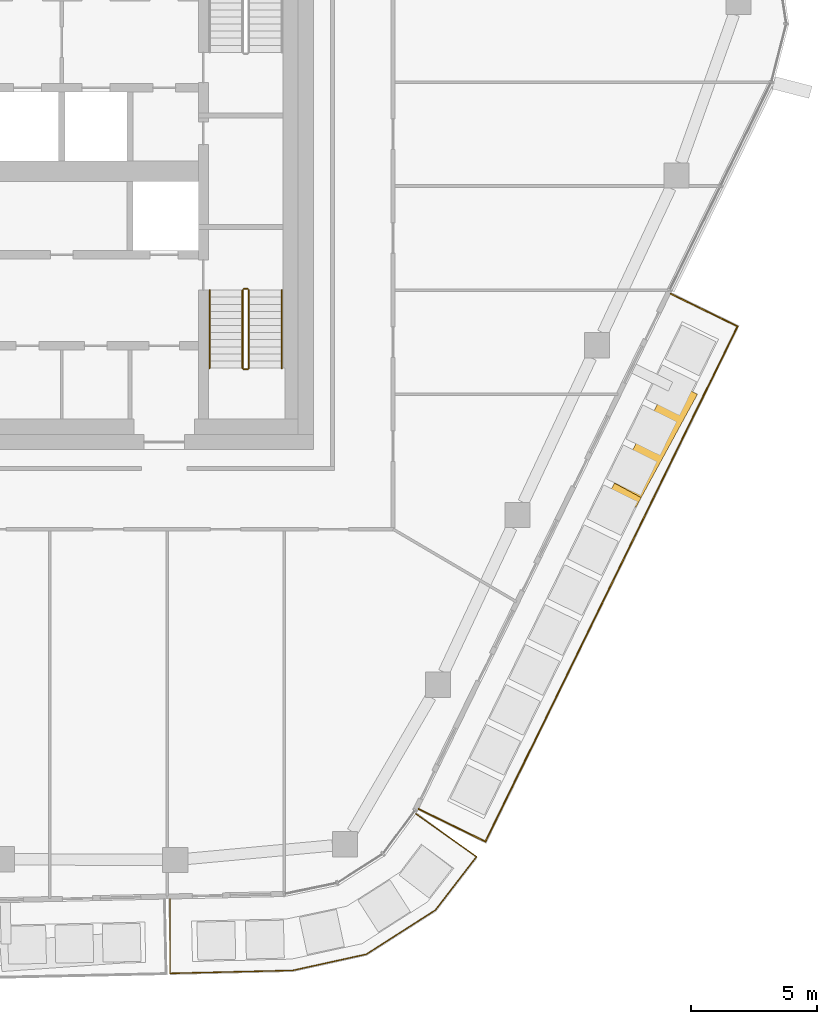
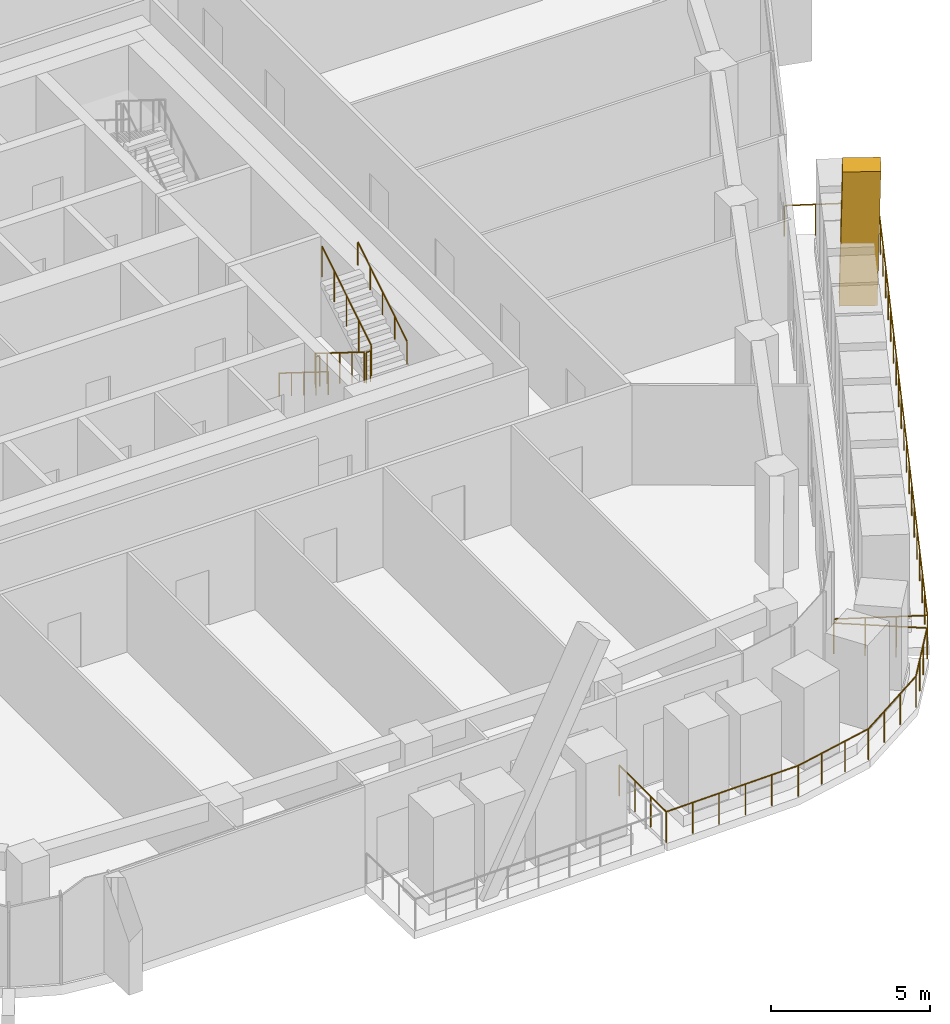
# One storey, part 20 of 23: 8 railings, 1 covering, 1 element without a shape of its own.
"""IFC4 building model written with IfcOpenShell, lengths in metres."""

from ifc_helpers import new_model, si_unit, direction, frame, origin, origin_2d, place, context, subcontext, project, spatial, rectangle, circle, extrude, material, layer, layer_set, material_profile, profile_set, type_object, element, aggregate, save


model = new_model("IFC4")

# Units and contexts
model_context = context("Model", 3, precision=1e-05, world=origin(), true_north=direction((0.0, 1.0)))
body_context = subcontext(model_context, "Body", "Model", "MODEL_VIEW")
ifc_project = project(units=[si_unit("LENGTHUNIT", "METRE"), si_unit("AREAUNIT", "SQUARE_METRE"), si_unit("VOLUMEUNIT", "CUBIC_METRE"), si_unit("PLANEANGLEUNIT", "RADIAN"), si_unit("MASSUNIT", "GRAM", prefix="KILO")], contexts=[model_context])

# Site, building, storey
site_placement = place(None, origin())
site = spatial("IfcSite", under=ifc_project, at=site_placement, CompositionType="ELEMENT")
building_placement = place(site_placement, origin())
building = spatial("IfcBuilding", under=site, at=building_placement, Name="Dongbaek Canopy Tower", CompositionType="ELEMENT")
storey_placement = place(building_placement, frame((0.0, 0.0, 340.39990234375)))
storey = spatial("IfcBuildingStorey", under=building, at=storey_placement, Name="L73", CompositionType="ELEMENT", Elevation=340.39990234375)

# Railings
ifc_material_1 = material(Name="Stainless steel", Category="steel")
railing_type_1 = type_object("IfcRailingType", Name="Balcony balustrade 1200", PredefinedType="BALUSTRADE", material=ifc_material_1)
railing_1_placement = place(storey_placement, frame((8.325927734375, -28.769287109375, 0.0)))
element("IfcRailing", 1, at=railing_1_placement, inside=storey, type_object=railing_type_1, Name="Balcony guard L73 8", PredefinedType="BALUSTRADE", context=body_context, shape_type="SweptSolid", body=[
    extrude(circle(Radius=0.02392578125, at=origin_2d()), frame((0.0, 0.0, 1.17578125), z_axis=(0.001245432445, -0.999999224449, 0.0), x_axis=(0.999999224449, 0.001245432445, 0.0)), (0.0, 0.0, 1.0), 2.9404296875),
    extrude(circle(Radius=0.02392578125, at=origin_2d()), frame((0.003662109375, -2.9404296875, 1.17578125), z_axis=(0.999707601747, 0.024180798373, 0.0), x_axis=(-0.024180798373, 0.999707601747, 0.0)), (0.0, 0.0, 1.0), 4.8564453125),
    extrude(circle(Radius=0.02392578125, at=origin_2d()), frame((4.858642578125, -2.822998046875, 1.17578125), z_axis=(0.97668986744, 0.214655311699, 0.0), x_axis=(-0.214655311699, 0.97668986744, 0.0)), (0.0, 0.0, 1.0), 2.9775390625),
    extrude(circle(Radius=0.02392578125, at=origin_2d()), frame((7.766845703125, -2.183837890625, 1.17578125), z_axis=(0.842552955036, 0.538613514461, 0.0), x_axis=(-0.538613514461, 0.842552955036, 0.0)), (0.0, 0.0, 1.0), 3.24267578125),
    extrude(circle(Radius=0.02392578125, at=origin_2d()), frame((10.4990234375, -0.437255859375, 1.17578125), z_axis=(0.609604303929, 0.792705867665, 0.0), x_axis=(-0.792705867665, 0.609604303929, 0.0)), (0.0, 0.0, 1.0), 2.66015625),
    extrude(circle(Radius=0.02392578125, at=origin_2d()), frame((12.12060546875, 1.67138671875, 1.17578125), z_axis=(-0.815725768278, 0.578438822147, 0.0), x_axis=(-0.578438822147, -0.815725768278, 0.0)), (0.0, 0.0, 1.0), 2.9404296875),
    extrude(circle(Radius=0.02099609375, at=origin_2d()), origin(), (0.0, 0.0, 1.0), 1.15185546875),
    extrude(circle(Radius=0.02099609375, at=origin_2d()), frame((0.001220703125, -0.980224609375, 0.0)), (0.0, 0.0, 1.0), 1.15185546875),
    extrude(circle(Radius=0.02099609375, at=origin_2d()), frame((0.00244140625, -1.960205078125, 0.0)), (0.0, 0.0, 1.0), 1.15185546875),
    extrude(circle(Radius=0.02099609375, at=origin_2d()), frame((0.003662109375, -2.9404296875, 0.0)), (0.0, 0.0, 1.0), 1.15185546875),
    extrude(circle(Radius=0.02099609375, at=origin_2d()), frame((0.974609375, -2.9169921875, 0.0)), (0.0, 0.0, 1.0), 1.15185546875),
    extrude(circle(Radius=0.02099609375, at=origin_2d()), frame((1.945556640625, -2.8935546875, 0.0)), (0.0, 0.0, 1.0), 1.15185546875),
    extrude(circle(Radius=0.02099609375, at=origin_2d()), frame((2.916748046875, -2.869873046875, 0.0)), (0.0, 0.0, 1.0), 1.15185546875),
    extrude(circle(Radius=0.02099609375, at=origin_2d()), frame((3.8876953125, -2.846435546875, 0.0)), (0.0, 0.0, 1.0), 1.15185546875),
    extrude(circle(Radius=0.02099609375, at=origin_2d()), frame((4.858642578125, -2.822998046875, 0.0)), (0.0, 0.0, 1.0), 1.15185546875),
    extrude(circle(Radius=0.02099609375, at=origin_2d()), frame((5.828125, -2.60986328125, 0.0)), (0.0, 0.0, 1.0), 1.15185546875),
    extrude(circle(Radius=0.02099609375, at=origin_2d()), frame((6.79736328125, -2.39697265625, 0.0)), (0.0, 0.0, 1.0), 1.15185546875),
    extrude(circle(Radius=0.02099609375, at=origin_2d()), frame((7.766845703125, -2.183837890625, 0.0)), (0.0, 0.0, 1.0), 1.15185546875),
    extrude(circle(Radius=0.02099609375, at=origin_2d()), frame((8.677490234375, -1.6015625, 0.0)), (0.0, 0.0, 1.0), 1.15185546875),
    extrude(circle(Radius=0.02099609375, at=origin_2d()), frame((9.58837890625, -1.01953125, 0.0)), (0.0, 0.0, 1.0), 1.15185546875),
    extrude(circle(Radius=0.02099609375, at=origin_2d()), frame((10.4990234375, -0.437255859375, 0.0)), (0.0, 0.0, 1.0), 1.15185546875),
    extrude(circle(Radius=0.02099609375, at=origin_2d()), frame((11.03955078125, 0.265625, 0.0)), (0.0, 0.0, 1.0), 1.15185546875),
    extrude(circle(Radius=0.02099609375, at=origin_2d()), frame((11.580078125, 0.968505859375, 0.0)), (0.0, 0.0, 1.0), 1.15185546875),
    extrude(circle(Radius=0.02099609375, at=origin_2d()), frame((12.12060546875, 1.67138671875, 0.0)), (0.0, 0.0, 1.0), 1.15185546875),
    extrude(circle(Radius=0.02099609375, at=origin_2d()), frame((11.321044921875, 2.23828125, 0.0)), (0.0, 0.0, 1.0), 1.15185546875),
    extrude(circle(Radius=0.02099609375, at=origin_2d()), frame((10.521484375, 2.805419921875, 0.0)), (0.0, 0.0, 1.0), 1.15185546875),
    extrude(circle(Radius=0.02099609375, at=origin_2d()), frame((9.721923828125, 3.372314453125, 0.0)), (0.0, 0.0, 1.0), 1.15185546875),
])
railing_2_placement = place(storey_placement, frame((18.16162109375, -25.209716796875, 0.0)))
element("IfcRailing", 2, at=railing_2_placement, inside=storey, type_object=railing_type_1, Name="Balcony guard L73 5", PredefinedType="BALUSTRADE", context=body_context, shape_type="SweptSolid", body=[
    extrude(circle(Radius=0.02392578125, at=origin_2d()), frame((0.0, 0.0, 1.17578125), z_axis=(0.898345037458, -0.439290557234, 0.0), x_axis=(0.439290557234, 0.898345037458, 0.0)), (0.0, 0.0, 1.0), 2.93994140625),
    extrude(circle(Radius=0.02392578125, at=origin_2d()), frame((2.64111328125, -1.29150390625, 1.17578125), z_axis=(0.439336802154, 0.898322422225, 0.0), x_axis=(-0.898322422225, 0.439336802154, 0.0)), (0.0, 0.0, 1.0), 22.676025390625),
    extrude(circle(Radius=0.02392578125, at=origin_2d()), frame((12.603515625, 19.078857421875, 1.17578125), z_axis=(-0.898312265038, 0.43935757019, 0.0), x_axis=(-0.43935757019, -0.898312265038, 0.0)), (0.0, 0.0, 1.0), 2.940185546875),
    extrude(circle(Radius=0.02099609375, at=origin_2d()), origin(), (0.0, 0.0, 1.0), 1.15185546875),
    extrude(circle(Radius=0.02099609375, at=origin_2d()), frame((0.88037109375, -0.430419921875, 0.0)), (0.0, 0.0, 1.0), 1.15185546875),
    extrude(circle(Radius=0.02099609375, at=origin_2d()), frame((1.7607421875, -0.861083984375, 0.0)), (0.0, 0.0, 1.0), 1.15185546875),
    extrude(circle(Radius=0.02099609375, at=origin_2d()), frame((2.64111328125, -1.29150390625, 0.0)), (0.0, 0.0, 1.0), 1.15185546875),
    extrude(circle(Radius=0.02099609375, at=origin_2d()), frame((3.16552734375, -0.219482421875, 0.0)), (0.0, 0.0, 1.0), 1.15185546875),
    extrude(circle(Radius=0.02099609375, at=origin_2d()), frame((3.689697265625, 0.852783203125, 0.0)), (0.0, 0.0, 1.0), 1.15185546875),
    extrude(circle(Radius=0.02099609375, at=origin_2d()), frame((4.214111328125, 1.9248046875, 0.0)), (0.0, 0.0, 1.0), 1.15185546875),
    extrude(circle(Radius=0.02099609375, at=origin_2d()), frame((4.738525390625, 2.9970703125, 0.0)), (0.0, 0.0, 1.0), 1.15185546875),
    extrude(circle(Radius=0.02099609375, at=origin_2d()), frame((5.2626953125, 4.069091796875, 0.0)), (0.0, 0.0, 1.0), 1.15185546875),
    extrude(circle(Radius=0.02099609375, at=origin_2d()), frame((5.787109375, 5.141357421875, 0.0)), (0.0, 0.0, 1.0), 1.15185546875),
    extrude(circle(Radius=0.02099609375, at=origin_2d()), frame((6.3115234375, 6.21337890625, 0.0)), (0.0, 0.0, 1.0), 1.15185546875),
    extrude(circle(Radius=0.02099609375, at=origin_2d()), frame((6.835693359375, 7.285400390625, 0.0)), (0.0, 0.0, 1.0), 1.15185546875),
    extrude(circle(Radius=0.02099609375, at=origin_2d()), frame((7.360107421875, 8.357666015625, 0.0)), (0.0, 0.0, 1.0), 1.15185546875),
    extrude(circle(Radius=0.02099609375, at=origin_2d()), frame((7.884521484375, 9.4296875, 0.0)), (0.0, 0.0, 1.0), 1.15185546875),
    extrude(circle(Radius=0.02099609375, at=origin_2d()), frame((8.408935546875, 10.501953125, 0.0)), (0.0, 0.0, 1.0), 1.15185546875),
    extrude(circle(Radius=0.02099609375, at=origin_2d()), frame((8.93310546875, 11.573974609375, 0.0)), (0.0, 0.0, 1.0), 1.15185546875),
    extrude(circle(Radius=0.02099609375, at=origin_2d()), frame((9.45751953125, 12.64599609375, 0.0)), (0.0, 0.0, 1.0), 1.15185546875),
    extrude(circle(Radius=0.02099609375, at=origin_2d()), frame((9.98193359375, 13.71826171875, 0.0)), (0.0, 0.0, 1.0), 1.15185546875),
    extrude(circle(Radius=0.02099609375, at=origin_2d()), frame((10.506103515625, 14.790283203125, 0.0)), (0.0, 0.0, 1.0), 1.15185546875),
    extrude(circle(Radius=0.02099609375, at=origin_2d()), frame((11.030517578125, 15.862548828125, 0.0)), (0.0, 0.0, 1.0), 1.15185546875),
    extrude(circle(Radius=0.02099609375, at=origin_2d()), frame((11.554931640625, 16.9345703125, 0.0)), (0.0, 0.0, 1.0), 1.15185546875),
    extrude(circle(Radius=0.02099609375, at=origin_2d()), frame((12.0791015625, 18.0068359375, 0.0)), (0.0, 0.0, 1.0), 1.15185546875),
    extrude(circle(Radius=0.02099609375, at=origin_2d()), frame((12.603515625, 19.078857421875, 0.0)), (0.0, 0.0, 1.0), 1.15185546875),
    extrude(circle(Radius=0.02099609375, at=origin_2d()), frame((11.72314453125, 19.509521484375, 0.0)), (0.0, 0.0, 1.0), 1.15185546875),
    extrude(circle(Radius=0.02099609375, at=origin_2d()), frame((10.8427734375, 19.93994140625, 0.0)), (0.0, 0.0, 1.0), 1.15185546875),
    extrude(circle(Radius=0.02099609375, at=origin_2d()), frame((9.96240234375, 20.37060546875, 0.0)), (0.0, 0.0, 1.0), 1.15185546875),
])

# Curtain wall, covering
ifc_material_2 = material(Name="Aluminium 6063-T6 pale anodised", Category="aluminium")
ifc_layer = layer(ifc_material_2, 0.199951171875)
ifc_layer_set = layer_set([ifc_layer], Name="CW-1 unitised tower curtain wall")
curtain_wall_type = type_object("IfcCurtainWallType", Name="CW-1 unitised tower curtain wall", PredefinedType="NOTDEFINED", material=ifc_layer_set)
curtain_wall_placement = place(storey_placement, origin())
curtain_wall = element("IfcCurtainWall", 3, at=curtain_wall_placement, inside=storey, type_object=curtain_wall_type, Name="CW-1 curtain wall F5.1", PredefinedType="NOTDEFINED")
ifc_material_3 = material(Name="Aluminium 6063-T6 pale metal fin", Category="aluminium")
ifc_material_profile = material_profile(ifc_material_3, rectangle(XDim=1.199951171875, YDim=0.5, at=origin_2d()), Name="Crease fin CF1 500 x 1200 pale metal")
ifc_profile_set = profile_set([ifc_material_profile], Name="Aluminium 6063-T6 pale metal fin")
covering_type = type_object("IfcCoveringType", Name="Crease fin CF1 500 x 1200 pale metal", PredefinedType="CLADDING", material=ifc_profile_set)
covering_placement = place(storey_placement, frame((28.551025390625, -8.72265625, -0.18994140625), z_axis=(-0.231679558894, -0.425449304102, 0.874824251853), x_axis=(0.878228321648, -0.478241586497, 0.0)))
covering = element("IfcCovering", 4, at=covering_placement, type_object=covering_type, Name="Crease fin L73 L75 F5", PredefinedType="CLADDING", context=body_context, shape_type="SweptSolid", body=[
    extrude(rectangle(XDim=1.199951171875, YDim=0.5, at=origin_2d()), origin(), (0.0, 0.0, 1.0), 9.60205078125),
])
aggregate(curtain_wall, [covering])

# Railings
ifc_material_4 = material(Name="Stainless steel tube and balusters", Category="steel")
railing_type_2 = type_object("IfcRailingType", Name="Stair guard 1200", PredefinedType="GUARDRAIL", material=ifc_material_4)
railing_3_placement = place(storey_placement, frame((11.199951171875, -4.699951171875, 0.175048828125)))
element("IfcRailing", 5, at=railing_3_placement, inside=storey, type_object=railing_type_2, Name="L73 ST-B stair guard 1", PredefinedType="GUARDRAIL", context=body_context, shape_type="SweptSolid", body=[
    extrude(circle(Radius=0.02392578125, at=origin_2d()), frame((0.0, 0.0, 1.17578125), z_axis=(0.0, -0.847998304005, 0.529998940003), x_axis=(1.0, 0.0, 0.0)), (0.0, 0.0, 1.0), 3.632080078125),
    extrude(circle(Radius=0.02099609375, at=origin_2d()), origin(), (0.0, 0.0, 1.0), 1.15185546875),
    extrude(circle(Radius=0.02099609375, at=origin_2d()), frame((0.0, -0.77001953125, 0.481201171875)), (0.0, 0.0, 1.0), 1.15185546875),
    extrude(circle(Radius=0.02099609375, at=origin_2d()), frame((0.0, -1.5400390625, 0.96240234375)), (0.0, 0.0, 1.0), 1.15185546875),
    extrude(circle(Radius=0.02099609375, at=origin_2d()), frame((0.0, -2.31005859375, 1.44384765625)), (0.0, 0.0, 1.0), 1.15185546875),
    extrude(circle(Radius=0.02099609375, at=origin_2d()), frame((0.0, -3.080078125, 1.925048828125)), (0.0, 0.0, 1.0), 1.15185546875),
])
railing_4_placement = place(storey_placement, frame((11.25, -7.830078125, 2.10009765625)))
element("IfcRailing", 6, at=railing_4_placement, inside=storey, type_object=railing_type_2, Name="L73 ST-B stair guard 2", PredefinedType="GUARDRAIL", context=body_context, shape_type="SweptSolid", body=[
    extrude(circle(Radius=0.02392578125, at=origin_2d()), frame((0.0, 0.0, 1.17578125), z_axis=(1.0, 0.0, 0.0), x_axis=(0.0, 1.0, 0.0)), (0.0, 0.0, 1.0), 0.14990234375),
    extrude(circle(Radius=0.02099609375, at=origin_2d()), origin(), (0.0, 0.0, 1.0), 1.15185546875),
    extrude(circle(Radius=0.02099609375, at=origin_2d()), frame((0.14990234375, 0.0, 0.0)), (0.0, 0.0, 1.0), 1.15185546875),
])
railing_5_placement = place(storey_placement, frame((11.449951171875, -7.780029296875, 2.275146484375)))
element("IfcRailing", 7, at=railing_5_placement, inside=storey, type_object=railing_type_2, Name="L73 ST-B stair guard 3", PredefinedType="GUARDRAIL", context=body_context, shape_type="SweptSolid", body=[
    extrude(circle(Radius=0.02392578125, at=origin_2d()), frame((0.0, 0.0, 1.17578125), z_axis=(0.0, 0.847998304005, 0.529998940003), x_axis=(-1.0, 0.0, 0.0)), (0.0, 0.0, 1.0), 3.632080078125),
    extrude(circle(Radius=0.02099609375, at=origin_2d()), origin(), (0.0, 0.0, 1.0), 1.15185546875),
    extrude(circle(Radius=0.02099609375, at=origin_2d()), frame((0.0, 0.77001953125, 0.481201171875)), (0.0, 0.0, 1.0), 1.15185546875),
    extrude(circle(Radius=0.02099609375, at=origin_2d()), frame((0.0, 1.5400390625, 0.96240234375)), (0.0, 0.0, 1.0), 1.15185546875),
    extrude(circle(Radius=0.02099609375, at=origin_2d()), frame((0.0, 2.31005859375, 1.44384765625)), (0.0, 0.0, 1.0), 1.15185546875),
    extrude(circle(Radius=0.02099609375, at=origin_2d()), frame((0.0, 3.080078125, 1.925048828125)), (0.0, 0.0, 1.0), 1.15185546875),
])
railing_6_placement = place(storey_placement, frame((11.25, -4.64990234375, 0.0)))
element("IfcRailing", 8, at=railing_6_placement, inside=storey, type_object=railing_type_2, Name="L73 ST-B stair guard 4", PredefinedType="GUARDRAIL", context=body_context, shape_type="SweptSolid", body=[
    extrude(circle(Radius=0.02392578125, at=origin_2d()), frame((0.0, 0.0, 1.17578125), z_axis=(1.0, 0.0, 0.0), x_axis=(0.0, 1.0, 0.0)), (0.0, 0.0, 1.0), 0.14990234375),
    extrude(circle(Radius=0.02099609375, at=origin_2d()), origin(), (0.0, 0.0, 1.0), 1.15185546875),
    extrude(circle(Radius=0.02099609375, at=origin_2d()), frame((0.14990234375, 0.0, 0.0)), (0.0, 0.0, 1.0), 1.15185546875),
])
ifc_material_5 = material(Name="Stainless steel tube", Category="steel")
railing_type_3 = type_object("IfcRailingType", Name="Stair handrail 900", PredefinedType="HANDRAIL", material=ifc_material_5)
railing_7_placement = place(storey_placement, frame((9.89990234375, -4.699951171875, 0.175048828125)))
element("IfcRailing", 9, at=railing_7_placement, inside=storey, type_object=railing_type_3, Name="L73 ST-B stair handrail 1", PredefinedType="HANDRAIL", context=body_context, shape_type="SweptSolid", body=[
    extrude(circle(Radius=0.02392578125, at=origin_2d()), frame((0.0, 0.0, 0.8759765625), z_axis=(0.0, -0.847998304005, 0.529998940003), x_axis=(1.0, 0.0, 0.0)), (0.0, 0.0, 1.0), 3.632080078125),
    extrude(circle(Radius=0.02099609375, at=origin_2d()), origin(), (0.0, 0.0, 1.0), 0.851806640625),
    extrude(circle(Radius=0.02099609375, at=origin_2d()), frame((0.0, -0.77001953125, 0.481201171875)), (0.0, 0.0, 1.0), 0.851806640625),
    extrude(circle(Radius=0.02099609375, at=origin_2d()), frame((0.0, -1.5400390625, 0.96240234375)), (0.0, 0.0, 1.0), 0.851806640625),
    extrude(circle(Radius=0.02099609375, at=origin_2d()), frame((0.0, -2.31005859375, 1.44384765625)), (0.0, 0.0, 1.0), 0.851806640625),
    extrude(circle(Radius=0.02099609375, at=origin_2d()), frame((0.0, -3.080078125, 1.925048828125)), (0.0, 0.0, 1.0), 0.851806640625),
])
railing_8_placement = place(storey_placement, frame((12.75, -7.780029296875, 2.275146484375)))
element("IfcRailing", 10, at=railing_8_placement, inside=storey, type_object=railing_type_3, Name="L73 ST-B stair handrail 2", PredefinedType="HANDRAIL", context=body_context, shape_type="SweptSolid", body=[
    extrude(circle(Radius=0.02392578125, at=origin_2d()), frame((0.0, 0.0, 0.8759765625), z_axis=(0.0, 0.847998304005, 0.529998940003), x_axis=(-1.0, 0.0, 0.0)), (0.0, 0.0, 1.0), 3.632080078125),
    extrude(circle(Radius=0.02099609375, at=origin_2d()), origin(), (0.0, 0.0, 1.0), 0.851806640625),
    extrude(circle(Radius=0.02099609375, at=origin_2d()), frame((0.0, 0.77001953125, 0.481201171875)), (0.0, 0.0, 1.0), 0.851806640625),
    extrude(circle(Radius=0.02099609375, at=origin_2d()), frame((0.0, 1.5400390625, 0.96240234375)), (0.0, 0.0, 1.0), 0.851806640625),
    extrude(circle(Radius=0.02099609375, at=origin_2d()), frame((0.0, 2.31005859375, 1.44384765625)), (0.0, 0.0, 1.0), 0.851806640625),
    extrude(circle(Radius=0.02099609375, at=origin_2d()), frame((0.0, 3.080078125, 1.925048828125)), (0.0, 0.0, 1.0), 0.851806640625),
])

save(model, "model.ifc")
